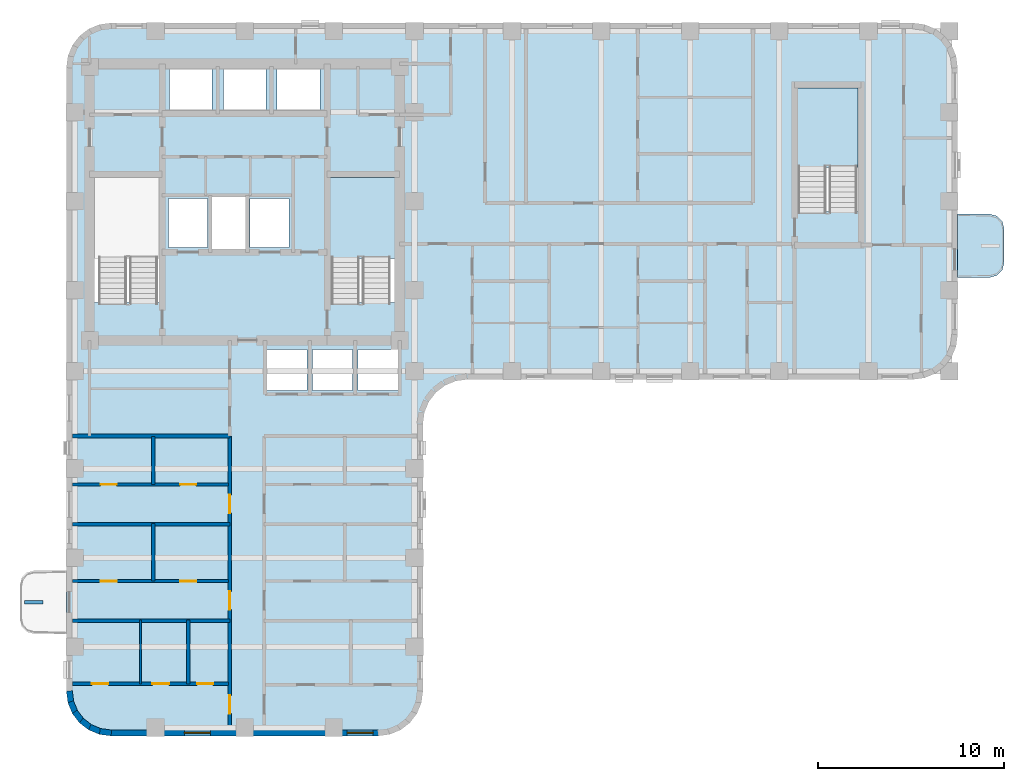
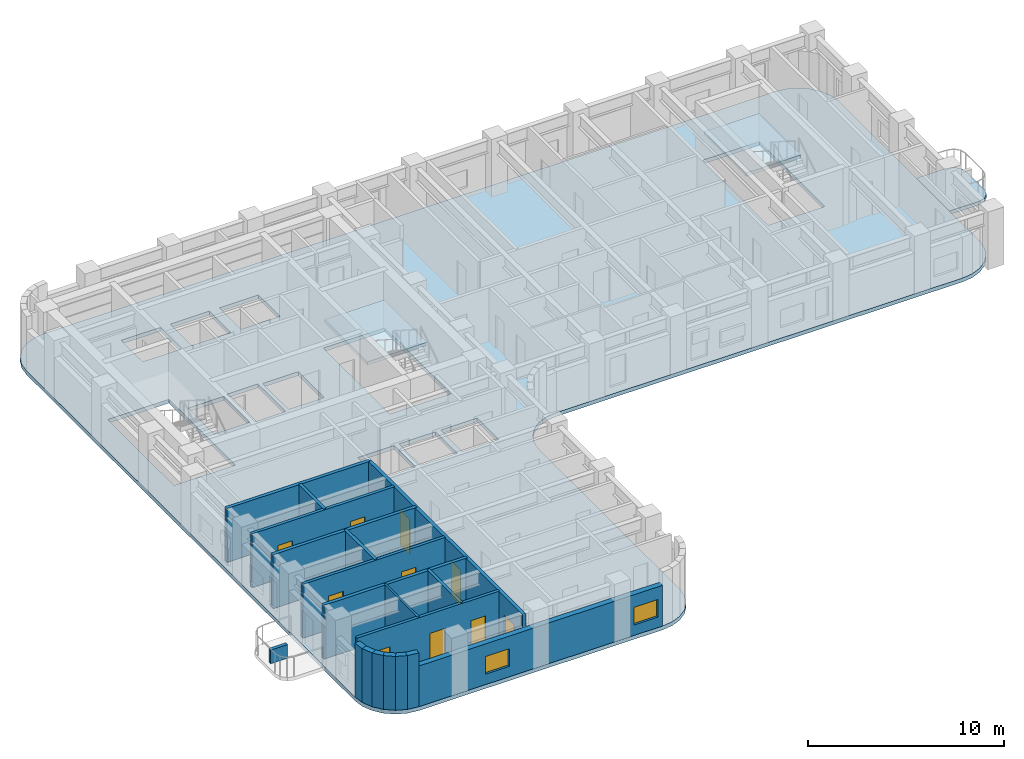
# One storey, part 2 of 10: 19 walls, 10 doors, 4 slabs, 2 windows, 12 openings, 2 elements without a shape of their own.
"""IFC4 building model written with IfcOpenShell, lengths in metres."""

from ifc_helpers import new_model, si_unit, direction, frame, frame_2d, origin, place, context, subcontext, project, spatial, polyline, rectangle, outline, extrude, material, layer, layer_set, type_object, element, fill, aggregate, save


model = new_model("IFC4")

# Units and contexts
model_context = context("Model", 3, precision=1e-05, world=origin(), true_north=direction((0.0, 1.0)))
body_context = subcontext(model_context, "Body", "Model", "MODEL_VIEW")
ifc_project = project(units=[si_unit("LENGTHUNIT", "METRE"), si_unit("AREAUNIT", "SQUARE_METRE"), si_unit("VOLUMEUNIT", "CUBIC_METRE"), si_unit("PLANEANGLEUNIT", "RADIAN"), si_unit("MASSUNIT", "GRAM", prefix="KILO")], contexts=[model_context])

# Site, building, storey
site_placement = place(None, origin())
site = spatial("IfcSite", under=ifc_project, at=site_placement, CompositionType="ELEMENT")
building_placement = place(site_placement, origin())
building = spatial("IfcBuilding", under=site, at=building_placement, Name="Orvandelia Arch Residences", CompositionType="ELEMENT")
storey_placement = place(building_placement, frame((0.0, 0.0, 114.39990234375)))
storey = spatial("IfcBuildingStorey", under=building, at=storey_placement, Name="L29", CompositionType="ELEMENT", Elevation=114.39990234375)

# Slab
ifc_material_1 = material(Name="Precast concrete C40/50", Category="concrete")
ifc_layer_1 = layer(ifc_material_1, 0.219970703125, Name="Precast concrete C40/50", Category="concrete")
ifc_layer_set_1 = layer_set([ifc_layer_1], Name="Precast concrete C40/50")
slab_type_1 = type_object("IfcSlabType", Name="SLB-BAL-220", PredefinedType="USERDEFINED", material=ifc_layer_set_1)
slab_1_placement = place(storey_placement, frame((0.0, 0.0, -0.219970703125)))
element("IfcSlab", 1, at=slab_1_placement, inside=storey, type_object=slab_type_1, Name="Tree Balcony Cantilever Slab BAL-L29-E1", ObjectType="BALCONY", PredefinedType="USERDEFINED", context=body_context, shape_type="SweptSolid", body=[
    extrude(outline(polyline([(52.800048828125, 37.699951171875), (52.800048828125, 34.300048828125), (54.550048828125, 34.300048828125), (54.925048828125, 34.400390625), (55.199462890625, 34.675048828125), (55.300048828125, 35.050048828125), (55.300048828125, 36.949951171875), (55.199462890625, 37.324951171875), (54.925048828125, 37.599609375), (54.550048828125, 37.699951171875), (52.800048828125, 37.699951171875)])), origin(), (0.0, 0.0, 1.0), 0.219970703125),
])

# Stair, slab
ifc_material_2 = material(Name="Concrete C40/50", Category="concrete")
stair_type = type_object("IfcStairType", Name="STAIR-RC-DOGLEG", PredefinedType="HALF_TURN_STAIR", material=ifc_material_2)
stair_1_placement = place(storey_placement, origin())
stair_1 = element("IfcStair", 2, at=stair_1_placement, inside=storey, type_object=stair_type, Name="L29 Protected Exit Stair ST-2", PredefinedType="HALF_TURN_STAIR")
ifc_layer_2 = layer(ifc_material_2, 0.219970703125, Name="Concrete C40/50", Category="concrete")
ifc_layer_set_2 = layer_set([ifc_layer_2], Name="Concrete C40/50")
slab_type_2 = type_object("IfcSlabType", Name="SLB-LANDING-220", PredefinedType="LANDING", material=ifc_layer_set_2)
slab_2_placement = place(storey_placement, frame((0.0, 0.0, 1.60009765625)))
slab_2 = element("IfcSlab", 3, at=slab_2_placement, type_object=slab_type_2, Name="ST-2 landing 1", PredefinedType="LANDING", context=body_context, shape_type="SweptSolid", body=[
    extrude(outline(polyline([(22.5400390625, 35.31005859375), (22.5400390625, 39.68994140625), (19.0, 39.68994140625), (19.0, 35.31005859375), (22.5400390625, 35.31005859375)])), origin(), (0.0, 0.0, 1.0), 0.199951171875),
])
aggregate(stair_1, [slab_2])

stair_2_placement = place(storey_placement, origin())
stair_2 = element("IfcStair", 4, at=stair_2_placement, inside=storey, type_object=stair_type, Name="L29 East Wing Exit Stair ST-3", PredefinedType="HALF_TURN_STAIR")
slab_3_placement = place(storey_placement, frame((0.0, 0.0, 1.60009765625)))
slab_3 = element("IfcSlab", 5, at=slab_3_placement, type_object=slab_type_2, Name="ST-3 landing 1", PredefinedType="LANDING", context=body_context, shape_type="SweptSolid", body=[
    extrude(outline(polyline([(47.43994140625, 40.2099609375), (47.43994140625, 44.5), (44.179931640625, 44.5), (44.179931640625, 40.2099609375), (47.43994140625, 40.2099609375)])), origin(), (0.0, 0.0, 1.0), 0.199951171875),
])
aggregate(stair_2, [slab_3])

# Slab
ifc_layer_3 = layer(ifc_material_2, 0.239990234375, Name="Concrete C40/50", Category="concrete")
ifc_layer_set_3 = layer_set([ifc_layer_3], Name="Concrete C40/50")
slab_type_3 = type_object("IfcSlabType", Name="SLB-TWR-240", PredefinedType="FLOOR", material=ifc_layer_set_3)
slab_4_placement = place(storey_placement, frame((0.0, 0.0, -0.239990234375)))
element("IfcSlab", 6, at=slab_4_placement, inside=storey, type_object=slab_type_3, Name="Structural Floor Slab L29-1", PredefinedType="FLOOR", context=body_context, shape_type="SweptSolid", body=[
    extrude(outline(polyline([(4.800048828125, 12.0), (4.8818359375, 11.37890625), (5.12158203125, 10.800048828125), (5.5029296875, 10.302978515625), (6.0, 9.92138671875), (6.578857421875, 9.681884765625), (7.199951171875, 9.60009765625), (21.60009765625, 9.60009765625), (22.22119140625, 9.681884765625), (22.800048828125, 9.92138671875), (23.297119140625, 10.302978515625), (23.678466796875, 10.800048828125), (23.918212890625, 11.37890625), (24.0, 12.0), (24.0, 26.39990234375), (24.081787109375, 27.021240234375), (24.321533203125, 27.60009765625), (24.702880859375, 28.09716796875), (25.199951171875, 28.478515625), (25.77880859375, 28.71826171875), (26.39990234375, 28.800048828125), (50.39990234375, 28.800048828125), (51.021240234375, 28.8818359375), (51.60009765625, 29.12158203125), (52.09716796875, 29.5029296875), (52.478515625, 30.0), (52.71826171875, 30.578857421875), (52.800048828125, 31.199951171875), (52.800048828125, 45.60009765625), (52.71826171875, 46.22119140625), (52.478515625, 46.800048828125), (52.09716796875, 47.297119140625), (51.60009765625, 47.678466796875), (51.021240234375, 47.918212890625), (50.39990234375, 48.0), (7.199951171875, 48.0), (6.578857421875, 47.918212890625), (6.0, 47.678466796875), (5.5029296875, 47.297119140625), (5.12158203125, 46.800048828125), (4.8818359375, 46.22119140625), (4.800048828125, 45.60009765625), (4.800048828125, 12.0)]), holes=[polyline([(6.219970703125, 32.949951171875), (9.840087890625, 32.949951171875), (9.840087890625, 39.72998046875), (6.219970703125, 39.72998046875), (6.219970703125, 32.949951171875)]), polyline([(18.9599609375, 32.949951171875), (22.580078125, 32.949951171875), (22.580078125, 39.72998046875), (18.9599609375, 39.72998046875), (18.9599609375, 32.949951171875)]), polyline([(44.139892578125, 37.85009765625), (47.47998046875, 37.85009765625), (47.47998046875, 44.5400390625), (44.139892578125, 44.5400390625), (44.139892578125, 37.85009765625)]), polyline([(12.639892578125, 35.81005859375), (14.4599609375, 35.81005859375), (14.4599609375, 38.639892578125), (12.639892578125, 38.639892578125), (12.639892578125, 35.81005859375)]), polyline([(10.300048828125, 35.89990234375), (12.39990234375, 35.89990234375), (12.39990234375, 38.550048828125), (10.300048828125, 38.550048828125), (10.300048828125, 35.89990234375)]), polyline([(14.699951171875, 35.89990234375), (16.800048828125, 35.89990234375), (16.800048828125, 38.550048828125), (14.699951171875, 38.550048828125), (14.699951171875, 35.89990234375)]), polyline([(10.35009765625, 43.300048828125), (12.64990234375, 43.300048828125), (12.64990234375, 45.5), (10.35009765625, 45.5), (10.35009765625, 43.300048828125)]), polyline([(13.25, 43.300048828125), (15.550048828125, 43.300048828125), (15.550048828125, 45.5), (13.25, 45.5), (13.25, 43.300048828125)]), polyline([(16.14990234375, 43.300048828125), (18.449951171875, 43.300048828125), (18.449951171875, 45.5), (16.14990234375, 45.5), (16.14990234375, 43.300048828125)]), polyline([(15.60009765625, 28.199951171875), (17.75, 28.199951171875), (17.75, 30.39990234375), (15.60009765625, 30.39990234375), (15.60009765625, 28.199951171875)]), polyline([(18.050048828125, 28.199951171875), (20.199951171875, 28.199951171875), (20.199951171875, 30.39990234375), (18.050048828125, 30.39990234375), (18.050048828125, 28.199951171875)]), polyline([(20.5, 28.199951171875), (22.64990234375, 28.199951171875), (22.64990234375, 30.39990234375), (20.5, 30.39990234375), (20.5, 28.199951171875)])]), origin(), (0.0, 0.0, 1.0), 0.239990234375),
])

# Wall, openings, doors
ifc_material_3 = material(Name="Fire-Rated Corridor Partition")
ifc_layer_4 = layer(ifc_material_3, 0.199951171875, Name="Fire-Rated Corridor Partition")
ifc_layer_set_4 = layer_set([ifc_layer_4], Name="Fire-Rated Corridor Partition")
wall_type_1 = type_object("IfcWallType", Name="WL-CORR-200", PredefinedType="PARTITIONING", material=ifc_layer_set_4)
wall_1_placement = place(storey_placement, frame((13.60009765625, 9.919921875, 0.0), z_axis=(0.0, 0.0, 1.0), x_axis=(0.0, 1.0, 0.0)))
wall_1 = element("IfcWall", 7, at=wall_1_placement, inside=storey, type_object=wall_type_1, Name="Interior Partition Wall WL-L29-WC-W", PredefinedType="PARTITIONING", context=body_context, shape_type="SweptSolid", body=[
    extrude(rectangle(XDim=15.830078125, YDim=0.199951171875, at=frame_2d((7.9150390625, 0.0))), origin(), (0.0, 0.0, 1.0), 3.360107421875),
])
opening_1_placement = place(wall_1_placement, frame((0.881103515625, 0.0, 0.0)))
opening_1 = element("IfcOpeningElement", 8, at=opening_1_placement, cuts=wall_1, Name="Opening D1", PredefinedType="OPENING", context=body_context, shape_type="SweptSolid", body=[
    extrude(rectangle(XDim=0.97998046875, YDim=2.179931640625, at=frame_2d((0.489990234375, 1.08984375))), frame((0.0, 0.10986328125, 0.0), z_axis=(0.0, -1.0, 0.0), x_axis=(1.0, 0.0, 0.0)), (0.0, 0.0, 1.0), 0.219970703125),
])
opening_2_placement = place(wall_1_placement, frame((6.47998046875, 0.0, 0.0)))
opening_2 = element("IfcOpeningElement", 9, at=opening_2_placement, cuts=wall_1, Name="Opening D1", PredefinedType="OPENING", context=body_context, shape_type="SweptSolid", body=[
    extrude(rectangle(XDim=0.97998046875, YDim=2.179931640625, at=frame_2d((0.489990234375, 1.08984375))), frame((0.0, 0.10986328125, 0.0), z_axis=(0.0, -1.0, 0.0), x_axis=(1.0, 0.0, 0.0)), (0.0, 0.0, 1.0), 0.219970703125),
])
opening_3_placement = place(wall_1_placement, frame((11.679931640625, 0.0, 0.0)))
opening_3 = element("IfcOpeningElement", 10, at=opening_3_placement, cuts=wall_1, Name="Opening D1", PredefinedType="OPENING", context=body_context, shape_type="SweptSolid", body=[
    extrude(rectangle(XDim=0.97998046875, YDim=2.179931640625, at=frame_2d((0.489990234375, 1.08984375))), frame((0.0, 0.10986328125, 0.0), z_axis=(0.0, -1.0, 0.0), x_axis=(1.0, 0.0, 0.0)), (0.0, 0.0, 1.0), 0.219970703125),
])
ifc_material_4 = material(Name="Solid-Core Timber Acoustic Fire Door", Category="wood")
door_type_1 = type_object("IfcDoorType", Name="DR-ENT-980", OperationType="NOTDEFINED", PredefinedType="DOOR", material=ifc_material_4)
door_1_placement = place(opening_1_placement, origin())
door_1 = element("IfcDoor", 11, at=door_1_placement, inside=storey, type_object=door_type_1, Name="Unit L29-01 Entrance Door", OperationType="SINGLE_SWING_LEFT", OverallHeight=2.179931640625, OverallWidth=0.97998046875, PredefinedType="DOOR", context=body_context, shape_type="SweptSolid", body=[
    extrude(rectangle(XDim=0.97998046875, YDim=2.179931640625, at=frame_2d((0.489990234375, 1.08984375))), frame((0.0, 0.02490234375, 0.0), z_axis=(0.0, -1.0, 0.0), x_axis=(1.0, 0.0, 0.0)), (0.0, 0.0, 1.0), 0.050048828125),
])
fill(opening_1, door_1)
door_2_placement = place(opening_2_placement, origin())
door_2 = element("IfcDoor", 12, at=door_2_placement, inside=storey, type_object=door_type_1, Name="Unit L29-02 Entrance Door", OperationType="SINGLE_SWING_RIGHT", OverallHeight=2.179931640625, OverallWidth=0.97998046875, PredefinedType="DOOR", context=body_context, shape_type="SweptSolid", body=[
    extrude(rectangle(XDim=0.97998046875, YDim=2.179931640625, at=frame_2d((0.489990234375, 1.08984375))), frame((0.0, 0.02490234375, 0.0), z_axis=(0.0, -1.0, 0.0), x_axis=(1.0, 0.0, 0.0)), (0.0, 0.0, 1.0), 0.050048828125),
])
fill(opening_2, door_2)
door_3_placement = place(opening_3_placement, origin())
door_3 = element("IfcDoor", 13, at=door_3_placement, inside=storey, type_object=door_type_1, Name="Unit L29-03 Entrance Door", OperationType="SINGLE_SWING_LEFT", OverallHeight=2.179931640625, OverallWidth=0.97998046875, PredefinedType="DOOR", context=body_context, shape_type="SweptSolid", body=[
    extrude(rectangle(XDim=0.97998046875, YDim=2.179931640625, at=frame_2d((0.489990234375, 1.08984375))), frame((0.0, 0.02490234375, 0.0), z_axis=(0.0, -1.0, 0.0), x_axis=(1.0, 0.0, 0.0)), (0.0, 0.0, 1.0), 0.050048828125),
])
fill(opening_3, door_3)

# Walls
wall_2_placement = place(storey_placement, frame((5.1201171875, 25.75, 0.0), z_axis=(0.0, 0.0, 1.0), x_axis=(1.0, 0.0, 0.0)))
element("IfcWall", 14, at=wall_2_placement, inside=storey, type_object=wall_type_1, Name="Interior Partition Wall WL-L29-WCLS-W", PredefinedType="PARTITIONING", context=body_context, shape_type="SweptSolid", body=[
    extrude(rectangle(XDim=8.47998046875, YDim=0.199951171875, at=frame_2d((4.239990234375, 0.0))), origin(), (0.0, 0.0, 1.0), 3.360107421875),
])
ifc_layer_5 = layer(ifc_material_2, 0.199951171875, Name="Concrete C40/50", Category="concrete")
ifc_layer_set_5 = layer_set([ifc_layer_5], Name="Concrete C40/50")
wall_type_2 = type_object("IfcWallType", Name="WL-DEM-200", PredefinedType="SOLIDWALL", material=ifc_layer_set_5)
for number, where, z_axis, x_axis, name in (
    (15, (5.1201171875, 15.800048828125, 0.0), (0.0, 0.0, 1.0), (1.0, 0.0, 0.0), "Interior Partition Wall WL-L29-DEM-WL-158"),
    (16, (5.1201171875, 21.0, 0.0), (0.0, 0.0, 1.0), (1.0, 0.0, 0.0), "Interior Partition Wall WL-L29-DEM-WL-210"),
):
    element("IfcWall", number, at=place(storey_placement, frame(where, z_axis=z_axis, x_axis=x_axis)), inside=storey, type_object=wall_type_2, Name=name, PredefinedType="SOLIDWALL", context=body_context, shape_type="SweptSolid", body=[
        extrude(rectangle(XDim=8.47998046875, YDim=0.199951171875, at=frame_2d((4.239990234375, 0.0))), origin(), (0.0, 0.0, 1.0), 3.360107421875),
    ])

# Wall, openings, windows
ifc_layer_6 = layer(ifc_material_1, 0.320068359375, Name="Precast concrete C40/50", Category="concrete")
ifc_layer_set_6 = layer_set([ifc_layer_6], Name="Precast concrete C40/50")
wall_type_3 = type_object("IfcWallType", Name="WL-EXT-STONE-320", PredefinedType="STANDARD", material=ifc_layer_set_6)
wall_3_placement = place(storey_placement, frame((21.60009765625, 9.760009765625, 0.0), z_axis=(0.0, 0.0, 1.0), x_axis=(-1.0, 0.0, 0.0)))
wall_3 = element("IfcWall", 17, at=wall_3_placement, inside=storey, type_object=wall_type_3, Name="Coral-Limestone Precast Facade Wall L29-035", PredefinedType="STANDARD", context=body_context, shape_type="SweptSolid", body=[
    extrude(rectangle(XDim=14.400146484375, YDim=0.320068359375, at=frame_2d((7.2001953125, 0.0))), origin(), (0.0, 0.0, 1.0), 2.5400390625),
])
opening_4_placement = place(wall_3_placement, frame((0.282470703125, 0.0, 0.64990234375)))
opening_4 = element("IfcOpeningElement", 18, at=opening_4_placement, cuts=wall_3, Name="Opening W10", PredefinedType="OPENING", context=body_context, shape_type="SweptSolid", body=[
    extrude(rectangle(XDim=1.39990234375, YDim=1.10009765625, at=frame_2d((0.699951171875, 0.550048828125))), frame((0.0, 0.169921875, 0.0), z_axis=(0.0, -1.0, 0.0), x_axis=(1.0, 0.0, 0.0)), (0.0, 0.0, 1.0), 0.340087890625),
])
opening_5_placement = place(wall_3_placement, frame((9.052490234375, 0.0, 0.64990234375)))
opening_5 = element("IfcOpeningElement", 19, at=opening_5_placement, cuts=wall_3, Name="Opening W10", PredefinedType="OPENING", context=body_context, shape_type="SweptSolid", body=[
    extrude(rectangle(XDim=1.39990234375, YDim=1.10009765625, at=frame_2d((0.699951171875, 0.550048828125))), frame((0.0, 0.169921875, 0.0), z_axis=(0.0, -1.0, 0.0), x_axis=(1.0, 0.0, 0.0)), (0.0, 0.0, 1.0), 0.340087890625),
])
ifc_material_5 = material(Name="Tempered Low-E Insulated Glazing", Category="glass")
window_type = type_object("IfcWindowType", Name="WIN-CLR-1400x1100", PartitioningType="SINGLE_PANEL", PredefinedType="WINDOW", material=ifc_material_5)
window_1_placement = place(opening_4_placement, origin())
window_1 = element("IfcWindow", 20, at=window_1_placement, inside=storey, type_object=window_type, Name="Recessed Punched Window L29-022", OverallHeight=1.10009765625, OverallWidth=1.39990234375, PartitioningType="SINGLE_PANEL", PredefinedType="WINDOW", context=body_context, shape_type="SweptSolid", body=[
    extrude(rectangle(XDim=1.39990234375, YDim=1.10009765625, at=frame_2d((0.699951171875, 0.550048828125))), frame((0.0, 0.030029296875, 0.0), z_axis=(0.0, -1.0, 0.0), x_axis=(1.0, 0.0, 0.0)), (0.0, 0.0, 1.0), 0.06005859375),
])
fill(opening_4, window_1)
window_2_placement = place(opening_5_placement, origin())
window_2 = element("IfcWindow", 21, at=window_2_placement, inside=storey, type_object=window_type, Name="Recessed Punched Window L29-023", OverallHeight=1.10009765625, OverallWidth=1.39990234375, PartitioningType="SINGLE_PANEL", PredefinedType="WINDOW", context=body_context, shape_type="SweptSolid", body=[
    extrude(rectangle(XDim=1.39990234375, YDim=1.10009765625, at=frame_2d((0.699951171875, 0.550048828125))), frame((0.0, 0.030029296875, 0.0), z_axis=(0.0, -1.0, 0.0), x_axis=(1.0, 0.0, 0.0)), (0.0, 0.0, 1.0), 0.06005859375),
])
fill(opening_5, window_2)

# Walls
wall_4_placement = place(storey_placement, frame((7.220947265625, 9.758544921875, 0.0), z_axis=(0.0, 0.0, 1.0), x_axis=(-0.991447664465, 0.130504898859, 0.0)))
element("IfcWall", 22, at=wall_4_placement, inside=storey, type_object=wall_type_3, Name="Coral-Limestone Precast Facade Wall L29-036", PredefinedType="STANDARD", context=body_context, shape_type="SweptSolid", body=[
    extrude(rectangle(XDim=0.626708984375, YDim=0.320068359375, at=frame_2d((0.3134765625, 0.0))), origin(), (0.0, 0.0, 1.0), 3.360107421875),
])
wall_5_placement = place(storey_placement, frame((6.639892578125, 9.82958984375, 0.0), z_axis=(0.0, 0.0, 1.0), x_axis=(-0.923836271867, 0.382787856107, 0.0)))
element("IfcWall", 23, at=wall_5_placement, inside=storey, type_object=wall_type_3, Name="Coral-Limestone Precast Facade Wall L29-037", PredefinedType="STANDARD", context=body_context, shape_type="SweptSolid", body=[
    extrude(rectangle(XDim=0.626220703125, YDim=0.320068359375, at=frame_2d((0.31298828125, 0.0))), origin(), (0.0, 0.0, 1.0), 3.360107421875),
])
wall_6_placement = place(storey_placement, frame((6.097412109375, 10.04833984375, 0.0), z_axis=(0.0, 0.0, 1.0), x_axis=(-0.793405610854, 0.608693302629, 0.0)))
element("IfcWall", 24, at=wall_6_placement, inside=storey, type_object=wall_type_3, Name="Coral-Limestone Precast Facade Wall L29-038", PredefinedType="STANDARD", context=body_context, shape_type="SweptSolid", body=[
    extrude(rectangle(XDim=0.62646484375, YDim=0.320068359375, at=frame_2d((0.313232421875, 0.0))), origin(), (0.0, 0.0, 1.0), 3.360107421875),
])
wall_7_placement = place(storey_placement, frame((5.6298828125, 10.400390625, 0.0), z_axis=(0.0, 0.0, 1.0), x_axis=(-0.608938521285, 0.7932174212, 0.0)))
element("IfcWall", 25, at=wall_7_placement, inside=storey, type_object=wall_type_3, Name="Coral-Limestone Precast Facade Wall L29-039", PredefinedType="STANDARD", context=body_context, shape_type="SweptSolid", body=[
    extrude(rectangle(XDim=0.626708984375, YDim=0.320068359375, at=frame_2d((0.3134765625, 0.0))), origin(), (0.0, 0.0, 1.0), 3.360107421875),
])
wall_8_placement = place(storey_placement, frame((5.269287109375, 10.861083984375, 0.0), z_axis=(0.0, 0.0, 1.0), x_axis=(-0.382650053678, 0.92389335771, 0.0)))
element("IfcWall", 26, at=wall_8_placement, inside=storey, type_object=wall_type_3, Name="Coral-Limestone Precast Facade Wall L29-040", PredefinedType="STANDARD", context=body_context, shape_type="SweptSolid", body=[
    extrude(rectangle(XDim=0.62646484375, YDim=0.320068359375, at=frame_2d((0.313232421875, 0.0))), origin(), (0.0, 0.0, 1.0), 3.360107421875),
])
wall_9_placement = place(storey_placement, frame((5.040283203125, 11.399658203125, 0.0), z_axis=(0.0, 0.0, 1.0), x_axis=(-0.130504898859, 0.991447664465, 0.0)))
element("IfcWall", 27, at=wall_9_placement, inside=storey, type_object=wall_type_3, Name="Coral-Limestone Precast Facade Wall L29-041", PredefinedType="STANDARD", context=body_context, shape_type="SweptSolid", body=[
    extrude(rectangle(XDim=0.626708984375, YDim=0.320068359375, at=frame_2d((0.3134765625, 0.0))), origin(), (0.0, 0.0, 1.0), 3.360107421875),
])
ifc_material_6 = material(Name="Lightweight Gypsum Stud Partition")
ifc_layer_7 = layer(ifc_material_6, 0.1201171875, Name="Lightweight Gypsum Stud Partition")
ifc_layer_set_7 = layer_set([ifc_layer_7], Name="Lightweight Gypsum Stud Partition")
wall_type_4 = type_object("IfcWallType", Name="WL-PART-120", PredefinedType="PARTITIONING", material=ifc_layer_set_7)
wall_10_placement = place(storey_placement, frame((8.791015625, 12.402099609375, 0.0), z_axis=(0.0, 0.0, 1.0), x_axis=(0.0, 1.0, 0.0)))
element("IfcWall", 28, at=wall_10_placement, inside=storey, type_object=wall_type_4, Name="Interior Partition Wall WL-L29-U01-V1", PredefinedType="PARTITIONING", context=body_context, shape_type="SweptSolid", body=[
    extrude(rectangle(XDim=3.43798828125, YDim=0.1201171875, at=frame_2d((1.718994140625, 0.0))), origin(), (0.0, 0.0, 1.0), 3.360107421875),
])
ifc_layer_8 = layer(ifc_material_1, 0.199951171875, Name="Precast concrete C40/50", Category="concrete")
ifc_layer_set_8 = layer_set([ifc_layer_8], Name="Precast concrete C40/50")
wall_type_5 = type_object("IfcWallType", Name="WL-PLANTER-200", PredefinedType="MOVABLE", material=ifc_layer_set_8)
wall_11_placement = place(storey_placement, frame((2.550048828125, 16.800048828125, 0.0), z_axis=(0.0, 0.0, 1.0), x_axis=(1.0, 0.0, 0.0)))
element("IfcWall", 29, at=wall_11_placement, inside=storey, type_object=wall_type_5, Name="Balcony Precast Tree Planter BAL-L29-W1", PredefinedType="MOVABLE", context=body_context, shape_type="SweptSolid", body=[
    extrude(rectangle(XDim=1.0, YDim=0.199951171875, at=frame_2d((0.5, 0.0))), origin(), (0.0, 0.0, 1.0), 0.85009765625),
])

# Wall, openings, doors
ifc_material_7 = material(Name="Moisture-Resistant Plumbing Wall")
ifc_layer_9 = layer(ifc_material_7, 0.179931640625, Name="Moisture-Resistant Plumbing Wall")
ifc_layer_set_9 = layer_set([ifc_layer_9], Name="Moisture-Resistant Plumbing Wall")
wall_type_6 = type_object("IfcWallType", Name="WL-WET-180", PredefinedType="PLUMBINGWALL", material=ifc_layer_set_9)
wall_12_placement = place(storey_placement, frame((5.1201171875, 12.402099609375, 0.0), z_axis=(0.0, 0.0, 1.0), x_axis=(1.0, 0.0, 0.0)))
wall_12 = element("IfcWall", 30, at=wall_12_placement, inside=storey, type_object=wall_type_6, Name="Interior Partition Wall WL-L29-U01-HZ", PredefinedType="PLUMBINGWALL", context=body_context, shape_type="SweptSolid", body=[
    extrude(rectangle(XDim=8.419921875, YDim=0.179931640625, at=frame_2d((4.2099609375, 0.0))), origin(), (0.0, 0.0, 1.0), 3.360107421875),
])
opening_6_placement = place(wall_12_placement, frame((1.04638671875, 0.0, 0.0)))
opening_6 = element("IfcOpeningElement", 31, at=opening_6_placement, cuts=wall_12, Name="Opening D3", PredefinedType="OPENING", context=body_context, shape_type="SweptSolid", body=[
    extrude(rectangle(XDim=0.89990234375, YDim=2.14990234375, at=frame_2d((0.449951171875, 1.074951171875))), frame((0.0, 0.10009765625, 0.0), z_axis=(0.0, -1.0, 0.0), x_axis=(1.0, 0.0, 0.0)), (0.0, 0.0, 1.0), 0.199951171875),
])
opening_7_placement = place(wall_12_placement, frame((4.307373046875, 0.0, 0.0)))
opening_7 = element("IfcOpeningElement", 32, at=opening_7_placement, cuts=wall_12, Name="Opening D3", PredefinedType="OPENING", context=body_context, shape_type="SweptSolid", body=[
    extrude(rectangle(XDim=0.89990234375, YDim=2.14990234375, at=frame_2d((0.449951171875, 1.074951171875))), frame((0.0, 0.10009765625, 0.0), z_axis=(0.0, -1.0, 0.0), x_axis=(1.0, 0.0, 0.0)), (0.0, 0.0, 1.0), 0.199951171875),
])
opening_8_placement = place(wall_12_placement, frame((6.723388671875, 0.0, 0.0)))
opening_8 = element("IfcOpeningElement", 33, at=opening_8_placement, cuts=wall_12, Name="Opening D4", PredefinedType="OPENING", context=body_context, shape_type="SweptSolid", body=[
    extrude(rectangle(XDim=0.860107421875, YDim=2.10009765625, at=frame_2d((0.43017578125, 1.050048828125))), frame((0.0, 0.10009765625, 0.0), z_axis=(0.0, -1.0, 0.0), x_axis=(1.0, 0.0, 0.0)), (0.0, 0.0, 1.0), 0.199951171875),
])
ifc_material_8 = material(Name="Engineered Timber Flush Door", Category="wood")
door_type_2 = type_object("IfcDoorType", Name="DR-INT-900", OperationType="NOTDEFINED", PredefinedType="DOOR", material=ifc_material_8)
door_4_placement = place(opening_6_placement, origin())
door_4 = element("IfcDoor", 34, at=door_4_placement, inside=storey, type_object=door_type_2, Name="DR-L29-U01-BD1", OperationType="SINGLE_SWING_LEFT", OverallHeight=2.14990234375, OverallWidth=0.89990234375, PredefinedType="DOOR", context=body_context, shape_type="SweptSolid", body=[
    extrude(rectangle(XDim=0.89990234375, YDim=2.14990234375, at=frame_2d((0.449951171875, 1.074951171875))), frame((0.0, 0.02490234375, 0.0), z_axis=(0.0, -1.0, 0.0), x_axis=(1.0, 0.0, 0.0)), (0.0, 0.0, 1.0), 0.050048828125),
])
fill(opening_6, door_4)
door_5_placement = place(opening_7_placement, origin())
door_5 = element("IfcDoor", 35, at=door_5_placement, inside=storey, type_object=door_type_2, Name="DR-L29-U01-KIT", OperationType="SINGLE_SWING_RIGHT", OverallHeight=2.14990234375, OverallWidth=0.89990234375, PredefinedType="DOOR", context=body_context, shape_type="SweptSolid", body=[
    extrude(rectangle(XDim=0.89990234375, YDim=2.14990234375, at=frame_2d((0.449951171875, 1.074951171875))), frame((0.0, 0.02490234375, 0.0), z_axis=(0.0, -1.0, 0.0), x_axis=(1.0, 0.0, 0.0)), (0.0, 0.0, 1.0), 0.050048828125),
])
fill(opening_7, door_5)
ifc_material_9 = material(Name="Moisture-Sealed Timber Bathroom Door", Category="wood")
door_type_3 = type_object("IfcDoorType", Name="DR-WET-900", OperationType="NOTDEFINED", PredefinedType="DOOR", material=ifc_material_9)
door_6_placement = place(opening_8_placement, origin())
door_6 = element("IfcDoor", 36, at=door_6_placement, inside=storey, type_object=door_type_3, Name="DR-L29-U01-BTH", OperationType="SINGLE_SWING_LEFT", OverallHeight=2.10009765625, OverallWidth=0.860107421875, PredefinedType="DOOR", context=body_context, shape_type="SweptSolid", body=[
    extrude(rectangle(XDim=0.860107421875, YDim=2.10009765625, at=frame_2d((0.43017578125, 1.050048828125))), frame((0.0, 0.02490234375, 0.0), z_axis=(0.0, -1.0, 0.0), x_axis=(1.0, 0.0, 0.0)), (0.0, 0.0, 1.0), 0.050048828125),
])
fill(opening_8, door_6)

# Wall
wall_13_placement = place(storey_placement, frame((11.35498046875, 12.402099609375, 0.0), z_axis=(0.0, 0.0, 1.0), x_axis=(0.0, 1.0, 0.0)))
element("IfcWall", 37, at=wall_13_placement, inside=storey, type_object=wall_type_6, Name="Interior Partition Wall WL-L29-U01-V2", PredefinedType="PLUMBINGWALL", context=body_context, shape_type="SweptSolid", body=[
    extrude(rectangle(XDim=3.43798828125, YDim=0.179931640625, at=frame_2d((1.718994140625, 0.0))), origin(), (0.0, 0.0, 1.0), 3.360107421875),
])

# Wall, openings, doors
wall_14_placement = place(storey_placement, frame((5.1201171875, 17.93994140625, 0.0), z_axis=(0.0, 0.0, 1.0), x_axis=(1.0, 0.0, 0.0)))
wall_14 = element("IfcWall", 38, at=wall_14_placement, inside=storey, type_object=wall_type_6, Name="Interior Partition Wall WL-L29-U02-HZ", PredefinedType="PLUMBINGWALL", context=body_context, shape_type="SweptSolid", body=[
    extrude(rectangle(XDim=8.419921875, YDim=0.179931640625, at=frame_2d((4.2099609375, 0.0))), origin(), (0.0, 0.0, 1.0), 3.360107421875),
])
opening_9_placement = place(wall_14_placement, frame((1.52001953125, 0.0, 0.0)))
opening_9 = element("IfcOpeningElement", 39, at=opening_9_placement, cuts=wall_14, Name="Opening D4", PredefinedType="OPENING", context=body_context, shape_type="SweptSolid", body=[
    extrude(rectangle(XDim=0.860107421875, YDim=2.10009765625, at=frame_2d((0.43017578125, 1.050048828125))), frame((0.0, 0.10009765625, 0.0), z_axis=(0.0, -1.0, 0.0), x_axis=(1.0, 0.0, 0.0)), (0.0, 0.0, 1.0), 0.199951171875),
])
opening_10_placement = place(wall_14_placement, frame((5.81005859375, 0.0, 0.0)))
opening_10 = element("IfcOpeningElement", 40, at=opening_10_placement, cuts=wall_14, Name="Opening D4", PredefinedType="OPENING", context=body_context, shape_type="SweptSolid", body=[
    extrude(rectangle(XDim=0.860107421875, YDim=2.10009765625, at=frame_2d((0.43017578125, 1.050048828125))), frame((0.0, 0.10009765625, 0.0), z_axis=(0.0, -1.0, 0.0), x_axis=(1.0, 0.0, 0.0)), (0.0, 0.0, 1.0), 0.199951171875),
])
door_7_placement = place(opening_9_placement, origin())
door_7 = element("IfcDoor", 41, at=door_7_placement, inside=storey, type_object=door_type_3, Name="DR-L29-U02-KIT", OperationType="SINGLE_SWING_RIGHT", OverallHeight=2.10009765625, OverallWidth=0.860107421875, PredefinedType="DOOR", context=body_context, shape_type="SweptSolid", body=[
    extrude(rectangle(XDim=0.860107421875, YDim=2.10009765625, at=frame_2d((0.43017578125, 1.050048828125))), frame((0.0, 0.02490234375, 0.0), z_axis=(0.0, -1.0, 0.0), x_axis=(1.0, 0.0, 0.0)), (0.0, 0.0, 1.0), 0.050048828125),
])
fill(opening_9, door_7)
door_8_placement = place(opening_10_placement, origin())
door_8 = element("IfcDoor", 42, at=door_8_placement, inside=storey, type_object=door_type_3, Name="DR-L29-U02-BTH", OperationType="SINGLE_SWING_LEFT", OverallHeight=2.10009765625, OverallWidth=0.860107421875, PredefinedType="DOOR", context=body_context, shape_type="SweptSolid", body=[
    extrude(rectangle(XDim=0.860107421875, YDim=2.10009765625, at=frame_2d((0.43017578125, 1.050048828125))), frame((0.0, 0.02490234375, 0.0), z_axis=(0.0, -1.0, 0.0), x_axis=(1.0, 0.0, 0.0)), (0.0, 0.0, 1.0), 0.050048828125),
])
fill(opening_10, door_8)

# Wall
wall_15_placement = place(storey_placement, frame((9.469970703125, 17.93994140625, 0.0), z_axis=(0.0, 0.0, 1.0), x_axis=(0.0, 1.0, 0.0)))
element("IfcWall", 43, at=wall_15_placement, inside=storey, type_object=wall_type_6, Name="Interior Partition Wall WL-L29-U02-V1", PredefinedType="PLUMBINGWALL", context=body_context, shape_type="SweptSolid", body=[
    extrude(rectangle(XDim=3.10009765625, YDim=0.179931640625, at=frame_2d((1.550048828125, 0.0))), origin(), (0.0, 0.0, 1.0), 3.360107421875),
])

# Wall, openings, doors
wall_16_placement = place(storey_placement, frame((5.1201171875, 23.139892578125, 0.0), z_axis=(0.0, 0.0, 1.0), x_axis=(1.0, 0.0, 0.0)))
wall_16 = element("IfcWall", 44, at=wall_16_placement, inside=storey, type_object=wall_type_6, Name="Interior Partition Wall WL-L29-U03-HZ", PredefinedType="PLUMBINGWALL", context=body_context, shape_type="SweptSolid", body=[
    extrude(rectangle(XDim=8.419921875, YDim=0.179931640625, at=frame_2d((4.2099609375, 0.0))), origin(), (0.0, 0.0, 1.0), 3.360107421875),
])
opening_11_placement = place(wall_16_placement, frame((1.52001953125, 0.0, 0.0)))
opening_11 = element("IfcOpeningElement", 45, at=opening_11_placement, cuts=wall_16, Name="Opening D4", PredefinedType="OPENING", context=body_context, shape_type="SweptSolid", body=[
    extrude(rectangle(XDim=0.860107421875, YDim=2.10009765625, at=frame_2d((0.43017578125, 1.050048828125))), frame((0.0, 0.10009765625, 0.0), z_axis=(0.0, -1.0, 0.0), x_axis=(1.0, 0.0, 0.0)), (0.0, 0.0, 1.0), 0.199951171875),
])
opening_12_placement = place(wall_16_placement, frame((5.81005859375, 0.0, 0.0)))
opening_12 = element("IfcOpeningElement", 46, at=opening_12_placement, cuts=wall_16, Name="Opening D4", PredefinedType="OPENING", context=body_context, shape_type="SweptSolid", body=[
    extrude(rectangle(XDim=0.860107421875, YDim=2.10009765625, at=frame_2d((0.43017578125, 1.050048828125))), frame((0.0, 0.10009765625, 0.0), z_axis=(0.0, -1.0, 0.0), x_axis=(1.0, 0.0, 0.0)), (0.0, 0.0, 1.0), 0.199951171875),
])
door_9_placement = place(opening_11_placement, origin())
door_9 = element("IfcDoor", 47, at=door_9_placement, inside=storey, type_object=door_type_3, Name="DR-L29-U03-KIT", OperationType="SINGLE_SWING_LEFT", OverallHeight=2.10009765625, OverallWidth=0.860107421875, PredefinedType="DOOR", context=body_context, shape_type="SweptSolid", body=[
    extrude(rectangle(XDim=0.860107421875, YDim=2.10009765625, at=frame_2d((0.43017578125, 1.050048828125))), frame((0.0, 0.02490234375, 0.0), z_axis=(0.0, -1.0, 0.0), x_axis=(1.0, 0.0, 0.0)), (0.0, 0.0, 1.0), 0.050048828125),
])
fill(opening_11, door_9)
door_10_placement = place(opening_12_placement, origin())
door_10 = element("IfcDoor", 48, at=door_10_placement, inside=storey, type_object=door_type_3, Name="DR-L29-U03-BTH", OperationType="SINGLE_SWING_RIGHT", OverallHeight=2.10009765625, OverallWidth=0.860107421875, PredefinedType="DOOR", context=body_context, shape_type="SweptSolid", body=[
    extrude(rectangle(XDim=0.860107421875, YDim=2.10009765625, at=frame_2d((0.43017578125, 1.050048828125))), frame((0.0, 0.02490234375, 0.0), z_axis=(0.0, -1.0, 0.0), x_axis=(1.0, 0.0, 0.0)), (0.0, 0.0, 1.0), 0.050048828125),
])
fill(opening_12, door_10)

# Wall
wall_17_placement = place(storey_placement, frame((9.469970703125, 23.139892578125, 0.0), z_axis=(0.0, 0.0, 1.0), x_axis=(0.0, 1.0, 0.0)))
element("IfcWall", 49, at=wall_17_placement, inside=storey, type_object=wall_type_6, Name="Interior Partition Wall WL-L29-U03-V1", PredefinedType="PLUMBINGWALL", context=body_context, shape_type="SweptSolid", body=[
    extrude(rectangle(XDim=2.580078125, YDim=0.179931640625, at=frame_2d((1.2900390625, 0.0))), origin(), (0.0, 0.0, 1.0), 3.360107421875),
])

save(model, "model.ifc")
